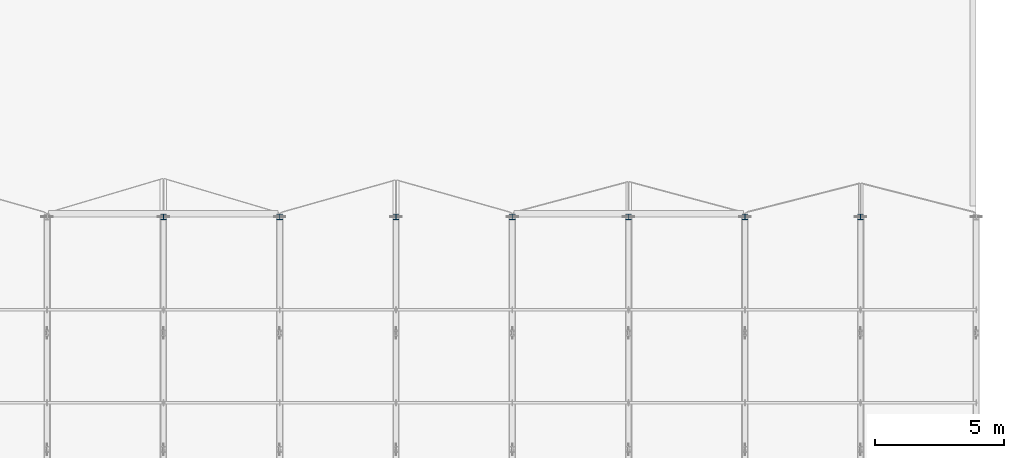
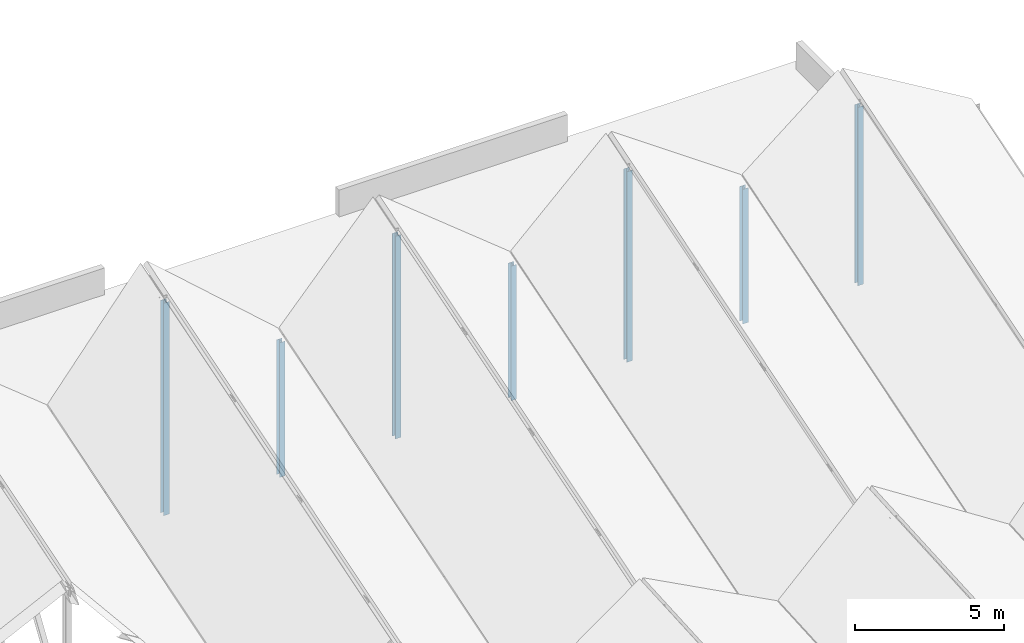
# One storey, part 69 of 142: 7 members.
"""IFC4 building model written with IfcOpenShell, lengths in metres."""

import ifcopenshell
import ifcopenshell.guid

model = None  # the IFC model being written
_history = None  # IfcOwnerHistory: only IFC2X3 demands one
_inside = {}  # id of a spatial element -> (the spatial element, [elements in it])
_under = {}  # id of a project, library or spatial element -> (it, [spatial elements below it])
_declared = {}  # id of a project -> (the project, [libraries it declares])
_typed = {}  # id of a type object -> (the type object, [elements of that type])
_made_of = {}  # id of a material, layer set ... -> (it, [elements and type objects made of it])


def new_model(schema):
    """Start an empty IFC model of exactly this schema.

    Asked for "IFC4X3", IfcOpenShell would pick the latest addendum, in which some entities
    have other attributes; the version numbers below select the first issue.
    IFC2X3 requires an IfcOwnerHistory on every rooted entity: one is made here for all.
    """
    global model, _history
    if schema == "IFC4X3":
        model = ifcopenshell.file(schema_version=(4, 3, 0, 0))
    else:
        model = ifcopenshell.file(schema=schema)
    _inside.clear()
    _under.clear()
    _declared.clear()
    _typed.clear()
    _made_of.clear()
    _history = None
    if model.schema == "IFC2X3":
        org = make("IfcOrganization", Name="unknown")
        user = make(
            "IfcPersonAndOrganization",
            ThePerson=make("IfcPerson", FamilyName="unknown"),
            TheOrganization=org,
        )
        app = make(
            "IfcApplication",
            ApplicationDeveloper=org,
            Version="unknown",
            ApplicationFullName="unknown",
            ApplicationIdentifier="unknown",
        )
        _history = make(
            "IfcOwnerHistory",
            OwningUser=user,
            OwningApplication=app,
            ChangeAction="ADDED",
            CreationDate=0,
        )
    return model


def make(cls, **values):
    """One entity of the class cls with the attributes given. An attribute that is None is left unset."""
    return model.create_entity(
        cls, **{name: value for name, value in values.items() if value is not None}
    )


def rooted(cls, **values):
    """An entity with a GlobalId (a new one), such as an element, a storey or a relation."""
    return make(cls, GlobalId=ifcopenshell.guid.new(), OwnerHistory=_history, **values)


def si_unit(unit_type, name, prefix=None):
    """IfcSIUnit, for example si_unit("LENGTHUNIT", "METRE", prefix="MILLI")."""
    return make("IfcSIUnit", UnitType=unit_type, Prefix=prefix, Name=name)


def assignment(units):
    """IfcUnitAssignment: the units of a project."""
    return None if units is None else make("IfcUnitAssignment", Units=units)


def point(xyz):
    """IfcCartesianPoint."""
    return None if xyz is None else make("IfcCartesianPoint", Coordinates=xyz)


def direction(xyz):
    """IfcDirection."""
    return None if xyz is None else make("IfcDirection", DirectionRatios=xyz)


def frame(location, z_axis=None, x_axis=None):
    """IfcAxis2Placement3D, a coordinate frame: its origin and axes. An axis left out is left unset."""
    return make(
        "IfcAxis2Placement3D",
        Location=point(location),
        Axis=direction(z_axis),
        RefDirection=direction(x_axis),
    )


def frame_2d(location, x_axis=None):
    """IfcAxis2Placement2D, a coordinate frame in the plane: its origin and x axis."""
    return make(
        "IfcAxis2Placement2D", Location=point(location), RefDirection=direction(x_axis)
    )


def origin():
    """The frame at (0, 0, 0) with its axes left unset."""
    return frame((0.0, 0.0, 0.0))


def origin_2d():
    """The frame at (0, 0) in the plane with its x axis left unset."""
    return frame_2d((0.0, 0.0))


def place(relative_to, where):
    """IfcLocalPlacement: puts the frame where relative to a parent placement (None: the world)."""
    return make(
        "IfcLocalPlacement", PlacementRelTo=relative_to, RelativePlacement=where
    )


def context(
    kind, dimensions, precision=None, world=None, true_north=None, identifier=None
):
    """IfcGeometricRepresentationContext, for example the 3D "Model" context."""
    return make(
        "IfcGeometricRepresentationContext",
        ContextIdentifier=identifier,
        ContextType=kind,
        CoordinateSpaceDimension=dimensions,
        Precision=precision,
        WorldCoordinateSystem=world,
        TrueNorth=true_north,
    )


def subcontext(parent, identifier, kind, view, scale=None):
    """IfcGeometricRepresentationSubContext, for example "Body" below "Model"."""
    return make(
        "IfcGeometricRepresentationSubContext",
        ContextIdentifier=identifier,
        ContextType=kind,
        ParentContext=parent,
        TargetScale=scale,
        TargetView=view,
    )


def project(units=None, contexts=None):
    """IfcProject with its units and contexts."""
    return rooted(
        "IfcProject",
        Name="project",
        RepresentationContexts=contexts,
        UnitsInContext=assignment(units),
    )


def spatial(cls, under=None, at=None, **own):
    """A site, building, storey or space (cls), placed at a placement, below another one or the project."""
    s = rooted(cls, ObjectPlacement=at, **own)
    if under is not None:
        _under.setdefault(under.id(), (under, []))[1].append(s)
    return s


def profile(cls, at=None, kind="AREA", **sizes):
    """A parametric profile (cls). Its sizes go by their IFC names, for example OverallWidth=200.0."""
    return make(cls, ProfileType=kind, Position=at, **sizes)


def i_section(**sizes):
    """IfcIShapeProfileDef."""
    return profile("IfcIShapeProfileDef", **sizes)


def extrude(swept, where, along, depth):
    """IfcExtrudedAreaSolid: the profile swept, set in the frame where, extruded along a direction by depth."""
    return make(
        "IfcExtrudedAreaSolid",
        SweptArea=swept,
        Position=where,
        ExtrudedDirection=direction(along),
        Depth=depth,
    )


def shape(context_of_items, identifier, shape_type, items):
    """IfcShapeRepresentation: the items that make up one representation, for example the "Body"."""
    return make(
        "IfcShapeRepresentation",
        ContextOfItems=context_of_items,
        RepresentationIdentifier=identifier,
        RepresentationType=shape_type,
        Items=items,
    )


def material(Name=None, Category=None):
    """IfcMaterial."""
    return make("IfcMaterial", Name=Name, Category=Category)


def material_profile(
    of_material, cross_section, Name=None, Category=None, Priority=None
):
    """IfcMaterialProfile: a cross section and its material."""
    return make(
        "IfcMaterialProfile",
        Name=Name,
        Material=of_material,
        Profile=cross_section,
        Priority=Priority,
        Category=Category,
    )


def profile_set(profiles, Name=None, composite=None):
    """IfcMaterialProfileSet."""
    return make(
        "IfcMaterialProfileSet",
        Name=Name,
        MaterialProfiles=profiles,
        CompositeProfile=composite,
    )


def made_of(thing, what):
    """Note that an element or type object is made of a material, layer set ...; save() writes the relation."""
    if what is not None:
        _made_of.setdefault(what.id(), (what, []))[1].append(thing)
    return thing


def type_object(cls, material=None, **own):
    """A type object (cls), such as IfcWallType, which elements share."""
    return made_of(rooted(cls, **own), material)


def element(
    cls,
    number,
    at=None,
    inside=None,
    cuts=None,
    type_object=None,
    material=None,
    context=None,
    identifier="Body",
    shape_type=None,
    held_by="IfcProductDefinitionShape",
    body=None,
    shapes=None,
    **own,
):
    """One element of the class cls, such as IfcWall. Its Tag is "e" and its number.

    at: its placement. inside: the storey or other place that contains it. cuts: it is an
    opening in that element (IfcRelVoidsElement). A single representation is given by context,
    identifier, shape_type and body (its items); several are given by shapes. held_by: the class
    of the entity that holds the representations. save() writes the other relations.
    """
    e = rooted(cls, Tag="e%d" % number, ObjectPlacement=at, **own)
    if body is not None:
        shapes = [shape(context, identifier, shape_type, body)]
    if shapes is not None:
        e.Representation = make(held_by, Representations=shapes)
    if inside is not None:
        _inside.setdefault(inside.id(), (inside, []))[1].append(e)
    if cuts is not None:
        rooted(
            "IfcRelVoidsElement", RelatingBuildingElement=cuts, RelatedOpeningElement=e
        )
    if type_object is not None:
        _typed.setdefault(type_object.id(), (type_object, []))[1].append(e)
    return made_of(e, material)


def aggregate(whole, parts):
    """IfcRelAggregates: a whole, such as a stair, and the parts it consists of."""
    return rooted("IfcRelAggregates", RelatingObject=whole, RelatedObjects=parts)


def save(model, path):
    """Write the relations noted so far, then the file.

    IfcRelAggregates (storeys below a building ...), IfcRelContainedInSpatialStructure (elements
    in a storey), IfcRelDefinesByType, IfcRelAssociatesMaterial and IfcRelDeclares: one each for
    every whole, place, type object, material and project.
    """
    for whole, parts in _under.values():
        aggregate(whole, parts)
    for where, things in _inside.values():
        rooted(
            "IfcRelContainedInSpatialStructure",
            RelatedElements=things,
            RelatingStructure=where,
        )
    for kind, things in _typed.values():
        rooted("IfcRelDefinesByType", RelatedObjects=things, RelatingType=kind)
    for what, things in _made_of.values():
        rooted("IfcRelAssociatesMaterial", RelatedObjects=things, RelatingMaterial=what)
    for by, libraries in _declared.values():
        rooted("IfcRelDeclares", RelatingContext=by, RelatedDefinitions=libraries)
    model.write(path)


model = new_model("IFC4")

# Units and contexts
model_context = context("Model", 3, precision=1e-05, world=origin(), true_north=direction((0.0, 1.0)))
body_context = subcontext(model_context, "Body", "Model", "MODEL_VIEW")
ifc_project = project(units=[si_unit("LENGTHUNIT", "METRE"), si_unit("AREAUNIT", "SQUARE_METRE"), si_unit("VOLUMEUNIT", "CUBIC_METRE"), si_unit("PLANEANGLEUNIT", "RADIAN"), si_unit("MASSUNIT", "GRAM", prefix="KILO")], contexts=[model_context])

# Site, building, storey
site_placement = place(None, origin())
site = spatial("IfcSite", under=ifc_project, at=site_placement, CompositionType="ELEMENT")
building_placement = place(site_placement, origin())
building = spatial("IfcBuilding", under=site, at=building_placement, Name="Montelvaro Courts of Justice", CompositionType="ELEMENT")
storey_placement = place(building_placement, frame((0.0, 0.0, 14.39990234375)))
storey = spatial("IfcBuildingStorey", under=building, at=storey_placement, Name="L03", CompositionType="ELEMENT", Elevation=14.39990234375)

# Members
ifc_material = material(Name="Steel S355", Category="steel")
ifc_material_profile = material_profile(ifc_material, i_section(OverallWidth=0.219970703125, OverallDepth=0.2099609375, WebThickness=0.007080078125, FlangeThickness=0.010986328125, at=origin_2d()), Name="HEA 220")
ifc_profile_set = profile_set([ifc_material_profile], Name="Steel S355")
member_type = type_object("IfcMemberType", Name="Mem_HEA220_Post", PredefinedType="POST", material=ifc_profile_set)
for number, where, z_axis, x_axis, name in (
    (1, (54.0, 96.0, -0.2998046875), (0.0, 0.0, 1.0), (1.0, 0.0, 0.0), "Roof Truss Post MP-03 ROOF-V1-VTR05-V4"),
    (2, (63.0, 96.0, -0.2998046875), (0.0, 0.0, 1.0), (1.0, 0.0, 0.0), "Roof Truss Post MP-03 ROOF-V1-VTR06-V4"),
    (3, (72.0, 96.0, -0.2998046875), (0.0, 0.0, 1.0), (1.0, 0.0, 0.0), "Roof Truss Post MP-03 ROOF-V1-VTR07-V4"),
):
    element("IfcMember", number, at=place(storey_placement, frame(where, z_axis=z_axis, x_axis=x_axis)), inside=storey, type_object=member_type, Name=name, PredefinedType="POST", context=body_context, shape_type="SweptSolid", body=[
        extrude(i_section(OverallWidth=0.219970703125, OverallDepth=0.2099609375, WebThickness=0.007080078125, FlangeThickness=0.010986328125, at=origin_2d()), origin(), (0.0, 0.0, 1.0), 5.52978515625),
    ])
member_1_placement = place(storey_placement, frame((49.5, 96.0, -0.2998046875), z_axis=(0.0, 0.0, 1.0), x_axis=(1.0, 0.0, 0.0)))
element("IfcMember", 4, at=member_1_placement, inside=storey, type_object=member_type, Name="Roof Truss Post MP-03 ROOF-V1-RTR04-V4", PredefinedType="POST", context=body_context, shape_type="SweptSolid", body=[
    extrude(i_section(OverallWidth=0.219970703125, OverallDepth=0.2099609375, WebThickness=0.007080078125, FlangeThickness=0.010986328125, at=origin_2d()), origin(), (0.0, 0.0, 1.0), 8.72998046875),
])
member_2_placement = place(storey_placement, frame((58.5, 96.0, -0.2998046875), z_axis=(0.0, 0.0, 1.0), x_axis=(1.0, 0.0, 0.0)))
element("IfcMember", 5, at=member_2_placement, inside=storey, type_object=member_type, Name="Roof Truss Post MP-03 ROOF-V1-RTR05-V4", PredefinedType="POST", context=body_context, shape_type="SweptSolid", body=[
    extrude(i_section(OverallWidth=0.219970703125, OverallDepth=0.2099609375, WebThickness=0.007080078125, FlangeThickness=0.010986328125, at=origin_2d()), origin(), (0.0, 0.0, 1.0), 8.329833984375),
])
member_3_placement = place(storey_placement, frame((67.5, 96.0, -0.2998046875), z_axis=(0.0, 0.0, 1.0), x_axis=(1.0, 0.0, 0.0)))
element("IfcMember", 6, at=member_3_placement, inside=storey, type_object=member_type, Name="Roof Truss Post MP-03 ROOF-V1-RTR06-V4", PredefinedType="POST", context=body_context, shape_type="SweptSolid", body=[
    extrude(i_section(OverallWidth=0.219970703125, OverallDepth=0.2099609375, WebThickness=0.007080078125, FlangeThickness=0.010986328125, at=origin_2d()), origin(), (0.0, 0.0, 1.0), 7.829833984375),
])
member_4_placement = place(storey_placement, frame((76.47509765625, 96.0, -0.2998046875), z_axis=(0.0, 0.0, 1.0), x_axis=(1.0, 0.0, 0.0)))
element("IfcMember", 7, at=member_4_placement, inside=storey, type_object=member_type, Name="Roof Truss Post MP-03 ROOF-V1-RTR07-V4", PredefinedType="POST", context=body_context, shape_type="SweptSolid", body=[
    extrude(i_section(OverallWidth=0.219970703125, OverallDepth=0.2099609375, WebThickness=0.007080078125, FlangeThickness=0.010986328125, at=origin_2d()), origin(), (0.0, 0.0, 1.0), 7.329833984375),
])

save(model, "model.ifc")
